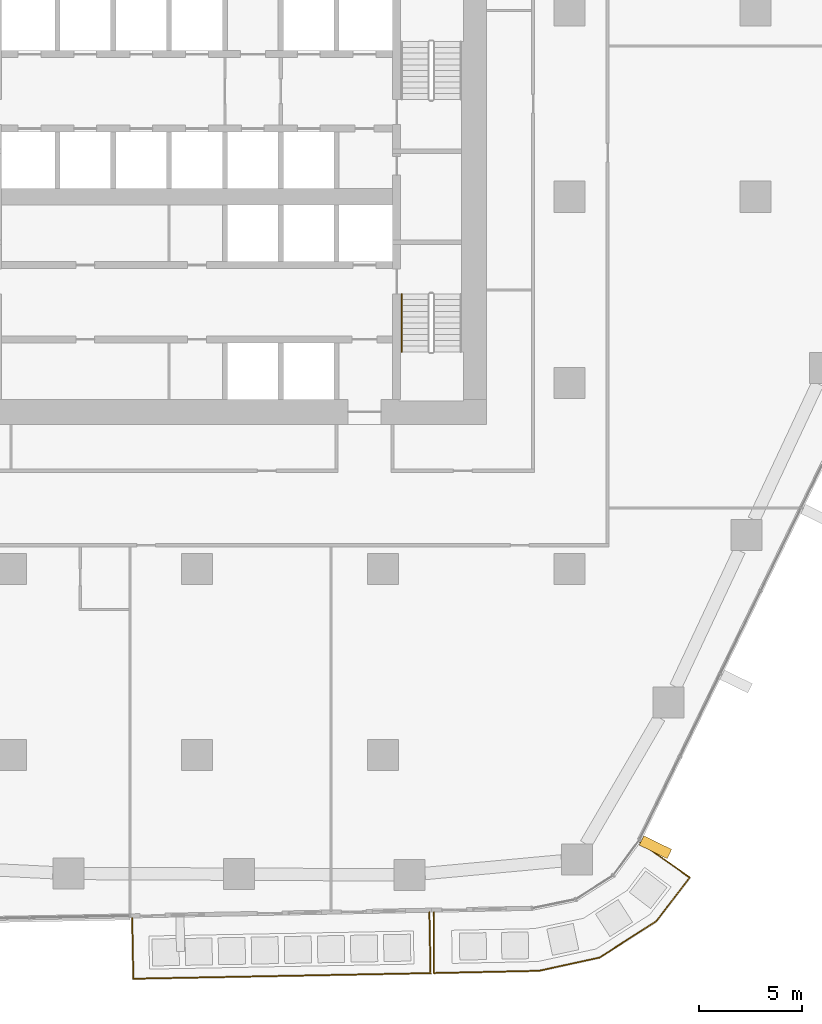
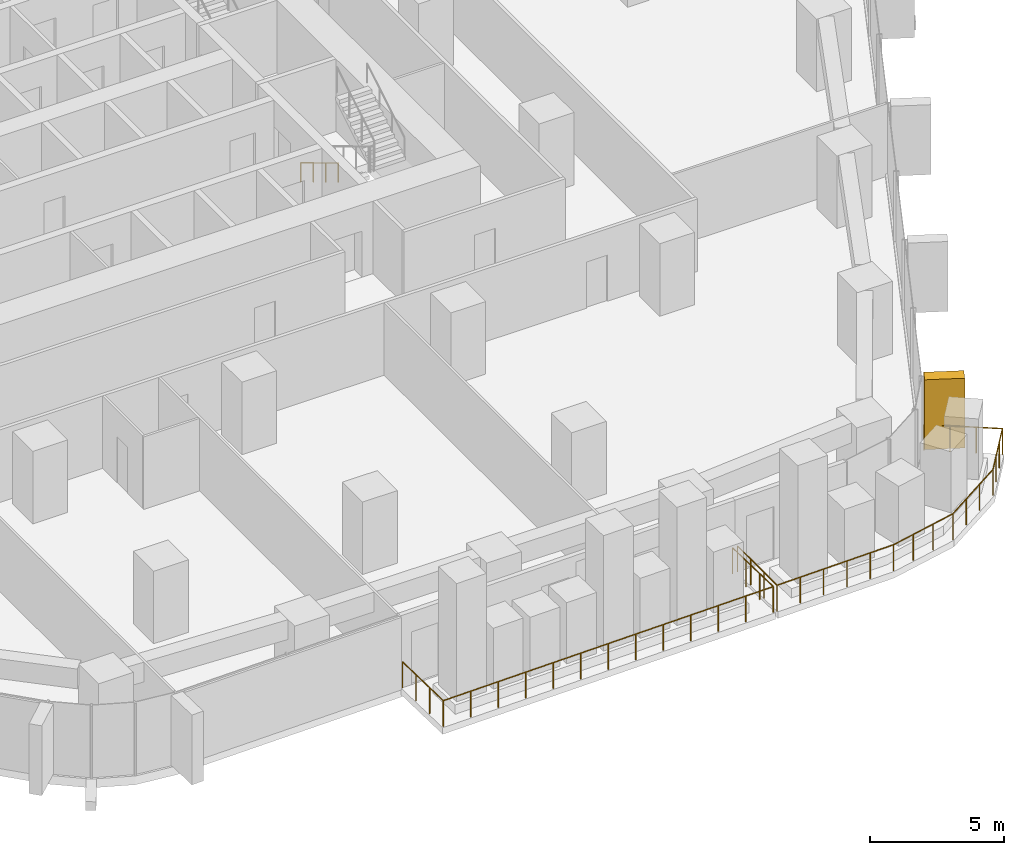
# One storey, part 21 of 25: 3 railings, 1 covering, 1 element without a shape of its own.
"""IFC4 building model written with IfcOpenShell, lengths in metres."""

from ifc_helpers import new_model, si_unit, direction, frame, origin, origin_2d, place, context, subcontext, project, spatial, rectangle, circle, extrude, material, layer, layer_set, material_profile, profile_set, type_object, element, aggregate, save


model = new_model("IFC4")

# Units and contexts
model_context = context("Model", 3, precision=1e-05, world=origin(), true_north=direction((0.0, 1.0)))
body_context = subcontext(model_context, "Body", "Model", "MODEL_VIEW")
ifc_project = project(units=[si_unit("LENGTHUNIT", "METRE"), si_unit("AREAUNIT", "SQUARE_METRE"), si_unit("VOLUMEUNIT", "CUBIC_METRE"), si_unit("PLANEANGLEUNIT", "RADIAN"), si_unit("MASSUNIT", "GRAM", prefix="KILO")], contexts=[model_context])

# Site, building, storey
site_placement = place(None, origin())
site = spatial("IfcSite", under=ifc_project, at=site_placement, CompositionType="ELEMENT")
building_placement = place(site_placement, origin())
building = spatial("IfcBuilding", under=site, at=building_placement, Name="Dongbaek Canopy Tower", CompositionType="ELEMENT")
storey_placement = place(building_placement, frame((0.0, 0.0, 81.0)))
storey = spatial("IfcBuildingStorey", under=building, at=storey_placement, Name="L16", CompositionType="ELEMENT", Elevation=81.0)

# Railings
ifc_material_1 = material(Name="Stainless steel", Category="steel")
railing_type_1 = type_object("IfcRailingType", Name="Balcony balustrade 1200", PredefinedType="BALUSTRADE", material=ifc_material_1)
railing_1_placement = place(storey_placement, frame((-3.13330078125, -34.869384765625, 0.0)))
element("IfcRailing", 1, at=railing_1_placement, inside=storey, type_object=railing_type_1, Name="Balcony guard L16 4", PredefinedType="BALUSTRADE", context=body_context, shape_type="SweptSolid", body=[
    extrude(circle(Radius=0.02392578125, at=origin_2d()), frame((0.0, 0.0, 1.17578125), z_axis=(0.018933482557, -0.999820745553, 0.0), x_axis=(0.999820745553, 0.018933482557, 0.0)), (0.0, 0.0, 1.0), 2.93994140625),
    extrude(circle(Radius=0.02392578125, at=origin_2d()), frame((0.0556640625, -2.939453125, 1.17578125), z_axis=(0.999820569964, 0.018942752638, 0.0), x_axis=(-0.018942752638, 0.999820569964, 0.0)), (0.0, 0.0, 1.0), 14.37060546875),
    extrude(circle(Radius=0.02392578125, at=origin_2d()), frame((14.423583984375, -2.667236328125, 1.17578125), z_axis=(-0.018931910703, 0.999820775318, 0.0), x_axis=(-0.999820775318, -0.018931910703, 0.0)), (0.0, 0.0, 1.0), 2.940185546875),
    extrude(circle(Radius=0.02099609375, at=origin_2d()), origin(), (0.0, 0.0, 1.0), 1.15185546875),
    extrude(circle(Radius=0.02099609375, at=origin_2d()), frame((0.0185546875, -0.979736328125, 0.0)), (0.0, 0.0, 1.0), 1.15185546875),
    extrude(circle(Radius=0.02099609375, at=origin_2d()), frame((0.037109375, -1.959716796875, 0.0)), (0.0, 0.0, 1.0), 1.15185546875),
    extrude(circle(Radius=0.02099609375, at=origin_2d()), frame((0.0556640625, -2.939453125, 0.0)), (0.0, 0.0, 1.0), 1.15185546875),
    extrude(circle(Radius=0.02099609375, at=origin_2d()), frame((1.2529296875, -2.916748046875, 0.0)), (0.0, 0.0, 1.0), 1.15185546875),
    extrude(circle(Radius=0.02099609375, at=origin_2d()), frame((2.4501953125, -2.89404296875, 0.0)), (0.0, 0.0, 1.0), 1.15185546875),
    extrude(circle(Radius=0.02099609375, at=origin_2d()), frame((3.647705078125, -2.871337890625, 0.0)), (0.0, 0.0, 1.0), 1.15185546875),
    extrude(circle(Radius=0.02099609375, at=origin_2d()), frame((4.844970703125, -2.8486328125, 0.0)), (0.0, 0.0, 1.0), 1.15185546875),
    extrude(circle(Radius=0.02099609375, at=origin_2d()), frame((6.042236328125, -2.825927734375, 0.0)), (0.0, 0.0, 1.0), 1.15185546875),
    extrude(circle(Radius=0.02099609375, at=origin_2d()), frame((7.23974609375, -2.80322265625, 0.0)), (0.0, 0.0, 1.0), 1.15185546875),
    extrude(circle(Radius=0.02099609375, at=origin_2d()), frame((8.43701171875, -2.78076171875, 0.0)), (0.0, 0.0, 1.0), 1.15185546875),
    extrude(circle(Radius=0.02099609375, at=origin_2d()), frame((9.63427734375, -2.758056640625, 0.0)), (0.0, 0.0, 1.0), 1.15185546875),
    extrude(circle(Radius=0.02099609375, at=origin_2d()), frame((10.83154296875, -2.7353515625, 0.0)), (0.0, 0.0, 1.0), 1.15185546875),
    extrude(circle(Radius=0.02099609375, at=origin_2d()), frame((12.02880859375, -2.712646484375, 0.0)), (0.0, 0.0, 1.0), 1.15185546875),
    extrude(circle(Radius=0.02099609375, at=origin_2d()), frame((13.226318359375, -2.68994140625, 0.0)), (0.0, 0.0, 1.0), 1.15185546875),
    extrude(circle(Radius=0.02099609375, at=origin_2d()), frame((14.423583984375, -2.667236328125, 0.0)), (0.0, 0.0, 1.0), 1.15185546875),
    extrude(circle(Radius=0.02099609375, at=origin_2d()), frame((14.405029296875, -1.687255859375, 0.0)), (0.0, 0.0, 1.0), 1.15185546875),
    extrude(circle(Radius=0.02099609375, at=origin_2d()), frame((14.386474609375, -0.70751953125, 0.0)), (0.0, 0.0, 1.0), 1.15185546875),
    extrude(circle(Radius=0.02099609375, at=origin_2d()), frame((14.367919921875, 0.2724609375, 0.0)), (0.0, 0.0, 1.0), 1.15185546875),
])
railing_2_placement = place(storey_placement, frame((11.45458984375, -34.5927734375, 0.0)))
element("IfcRailing", 2, at=railing_2_placement, inside=storey, type_object=railing_type_1, Name="Balcony guard L16 7", PredefinedType="BALUSTRADE", context=body_context, shape_type="SweptSolid", body=[
    extrude(circle(Radius=0.02392578125, at=origin_2d()), frame((0.0, 0.0, 1.17578125), z_axis=(-0.001494394346, -0.999998883392, 0.0), x_axis=(0.999998883392, -0.001494394346, 0.0)), (0.0, 0.0, 1.0), 2.940673828125),
    extrude(circle(Radius=0.02392578125, at=origin_2d()), frame((-0.00439453125, -2.940673828125, 1.17578125), z_axis=(0.999771507585, 0.021375982361, 0.0), x_axis=(-0.021375982361, 0.999771507585, 0.0)), (0.0, 0.0, 1.0), 5.08251953125),
    extrude(circle(Radius=0.02392578125, at=origin_2d()), frame((5.076904296875, -2.83203125, 1.17578125), z_axis=(0.977109982693, 0.212734768484, 0.0), x_axis=(-0.212734768484, 0.977109982693, 0.0)), (0.0, 0.0, 1.0), 2.989501953125),
    extrude(circle(Radius=0.02392578125, at=origin_2d()), frame((7.998046875, -2.196044921875, 1.17578125), z_axis=(0.842802081689, 0.538223606972, 0.0), x_axis=(-0.538223606972, 0.842802081689, 0.0)), (0.0, 0.0, 1.0), 3.255859375),
    extrude(circle(Radius=0.02392578125, at=origin_2d()), frame((10.7421875, -0.443603515625, 1.17578125), z_axis=(0.608897705998, 0.793248752681, 0.0), x_axis=(-0.793248752681, 0.608897705998, 0.0)), (0.0, 0.0, 1.0), 2.671142578125),
    extrude(circle(Radius=0.02392578125, at=origin_2d()), frame((12.36865234375, 1.67529296875, 1.17578125), z_axis=(-0.816339261531, 0.577572688139, 0.0), x_axis=(-0.577572688139, -0.816339261531, 0.0)), (0.0, 0.0, 1.0), 2.940673828125),
    extrude(circle(Radius=0.02099609375, at=origin_2d()), origin(), (0.0, 0.0, 1.0), 1.15185546875),
    extrude(circle(Radius=0.02099609375, at=origin_2d()), frame((-0.00146484375, -0.980224609375, 0.0)), (0.0, 0.0, 1.0), 1.15185546875),
    extrude(circle(Radius=0.02099609375, at=origin_2d()), frame((-0.0029296875, -1.96044921875, 0.0)), (0.0, 0.0, 1.0), 1.15185546875),
    extrude(circle(Radius=0.02099609375, at=origin_2d()), frame((-0.00439453125, -2.940673828125, 0.0)), (0.0, 0.0, 1.0), 1.15185546875),
    extrude(circle(Radius=0.02099609375, at=origin_2d()), frame((1.011962890625, -2.9189453125, 0.0)), (0.0, 0.0, 1.0), 1.15185546875),
    extrude(circle(Radius=0.02099609375, at=origin_2d()), frame((2.028076171875, -2.897216796875, 0.0)), (0.0, 0.0, 1.0), 1.15185546875),
    extrude(circle(Radius=0.02099609375, at=origin_2d()), frame((3.04443359375, -2.87548828125, 0.0)), (0.0, 0.0, 1.0), 1.15185546875),
    extrude(circle(Radius=0.02099609375, at=origin_2d()), frame((4.060546875, -2.853759765625, 0.0)), (0.0, 0.0, 1.0), 1.15185546875),
    extrude(circle(Radius=0.02099609375, at=origin_2d()), frame((5.076904296875, -2.83203125, 0.0)), (0.0, 0.0, 1.0), 1.15185546875),
    extrude(circle(Radius=0.02099609375, at=origin_2d()), frame((6.050537109375, -2.6201171875, 0.0)), (0.0, 0.0, 1.0), 1.15185546875),
    extrude(circle(Radius=0.02099609375, at=origin_2d()), frame((7.0244140625, -2.407958984375, 0.0)), (0.0, 0.0, 1.0), 1.15185546875),
    extrude(circle(Radius=0.02099609375, at=origin_2d()), frame((7.998046875, -2.196044921875, 0.0)), (0.0, 0.0, 1.0), 1.15185546875),
    extrude(circle(Radius=0.02099609375, at=origin_2d()), frame((8.912841796875, -1.61181640625, 0.0)), (0.0, 0.0, 1.0), 1.15185546875),
    extrude(circle(Radius=0.02099609375, at=origin_2d()), frame((9.827392578125, -1.02783203125, 0.0)), (0.0, 0.0, 1.0), 1.15185546875),
    extrude(circle(Radius=0.02099609375, at=origin_2d()), frame((10.7421875, -0.443603515625, 0.0)), (0.0, 0.0, 1.0), 1.15185546875),
    extrude(circle(Radius=0.02099609375, at=origin_2d()), frame((11.284423828125, 0.2626953125, 0.0)), (0.0, 0.0, 1.0), 1.15185546875),
    extrude(circle(Radius=0.02099609375, at=origin_2d()), frame((11.826416015625, 0.968994140625, 0.0)), (0.0, 0.0, 1.0), 1.15185546875),
    extrude(circle(Radius=0.02099609375, at=origin_2d()), frame((12.36865234375, 1.67529296875, 0.0)), (0.0, 0.0, 1.0), 1.15185546875),
    extrude(circle(Radius=0.02099609375, at=origin_2d()), frame((11.568359375, 2.241455078125, 0.0)), (0.0, 0.0, 1.0), 1.15185546875),
    extrude(circle(Radius=0.02099609375, at=origin_2d()), frame((10.768310546875, 2.8076171875, 0.0)), (0.0, 0.0, 1.0), 1.15185546875),
    extrude(circle(Radius=0.02099609375, at=origin_2d()), frame((9.968017578125, 3.373779296875, 0.0)), (0.0, 0.0, 1.0), 1.15185546875),
])

# Curtain wall, covering
ifc_material_2 = material(Name="Aluminium 6063-T6 pale anodised", Category="aluminium")
ifc_layer = layer(ifc_material_2, 0.199951171875)
ifc_layer_set = layer_set([ifc_layer], Name="CW-1 unitised tower curtain wall")
curtain_wall_type = type_object("IfcCurtainWallType", Name="CW-1 unitised tower curtain wall", PredefinedType="NOTDEFINED", material=ifc_layer_set)
curtain_wall_placement = place(storey_placement, origin())
curtain_wall = element("IfcCurtainWall", 3, at=curtain_wall_placement, inside=storey, type_object=curtain_wall_type, Name="CW-1 curtain wall F5.1", PredefinedType="NOTDEFINED")
ifc_material_3 = material(Name="Aluminium 6063-T6 pale metal fin", Category="aluminium")
ifc_material_profile = material_profile(ifc_material_3, rectangle(XDim=1.5, YDim=0.5, at=origin_2d()), Name="Fin FN1 500 x 1500 pale metal")
ifc_profile_set = profile_set([ifc_material_profile], Name="Aluminium 6063-T6 pale metal fin")
covering_type = type_object("IfcCoveringType", Name="Fin FN1 500 x 1500 pale metal", PredefinedType="CLADDING", material=ifc_profile_set)
covering_placement = place(storey_placement, frame((22.16650390625, -31.450439453125, 0.1201171875), z_axis=(0.0, 0.0, 1.0), x_axis=(0.899092424879, -0.437758850882, 0.0)))
covering = element("IfcCovering", 4, at=covering_placement, type_object=covering_type, Name="Fin F5.1.1", PredefinedType="CLADDING", context=body_context, shape_type="SweptSolid", body=[
    extrude(rectangle(XDim=1.5, YDim=0.5, at=origin_2d()), origin(), (0.0, 0.0, 1.0), 3.179931640625),
])
aggregate(curtain_wall, [covering])

# Railing
ifc_material_4 = material(Name="Stainless steel tube", Category="steel")
railing_type_2 = type_object("IfcRailingType", Name="Stair handrail 900", PredefinedType="HANDRAIL", material=ifc_material_4)
railing_3_placement = place(storey_placement, frame((9.89990234375, -4.699951171875, 0.168212890625)))
element("IfcRailing", 5, at=railing_3_placement, inside=storey, type_object=railing_type_2, Name="L16 ST-B stair handrail 1", PredefinedType="HANDRAIL", context=body_context, shape_type="SweptSolid", body=[
    extrude(circle(Radius=0.02392578125, at=origin_2d()), frame((0.0, 0.0, 0.8759765625), z_axis=(0.0, -0.857242210791, 0.514913383045), x_axis=(1.0, 0.0, 0.0)), (0.0, 0.0, 1.0), 3.266357421875),
    extrude(circle(Radius=0.02099609375, at=origin_2d()), origin(), (0.0, 0.0, 1.0), 0.851806640625),
    extrude(circle(Radius=0.02099609375, at=origin_2d()), frame((0.0, -0.933349609375, 0.560546875)), (0.0, 0.0, 1.0), 0.851806640625),
    extrude(circle(Radius=0.02099609375, at=origin_2d()), frame((0.0, -1.86669921875, 1.121337890625)), (0.0, 0.0, 1.0), 0.851806640625),
    extrude(circle(Radius=0.02099609375, at=origin_2d()), frame((0.0, -2.800048828125, 1.681884765625)), (0.0, 0.0, 1.0), 0.851806640625),
])

save(model, "model.ifc")
